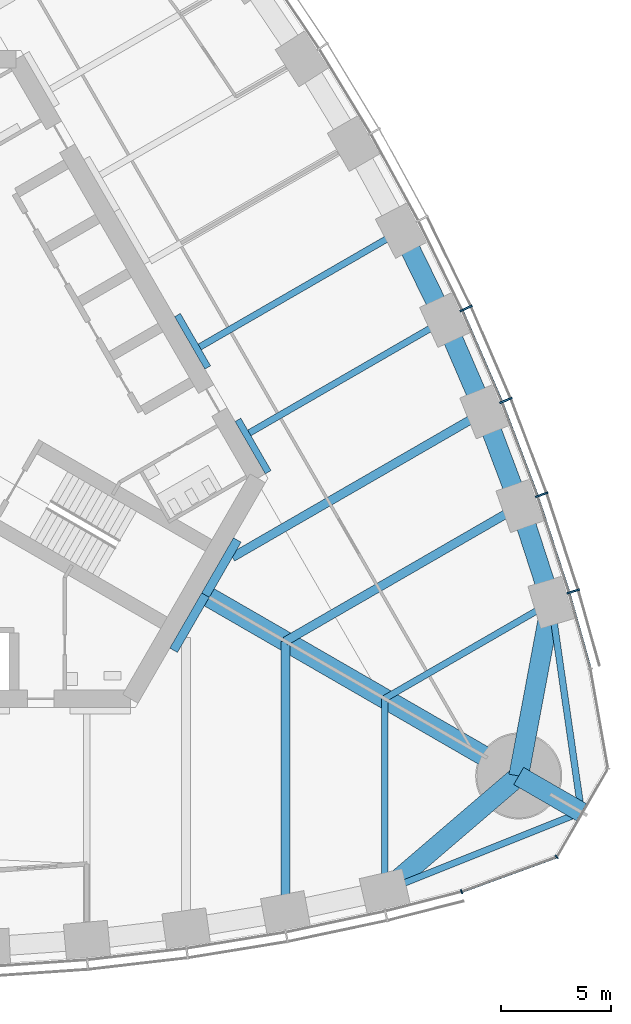
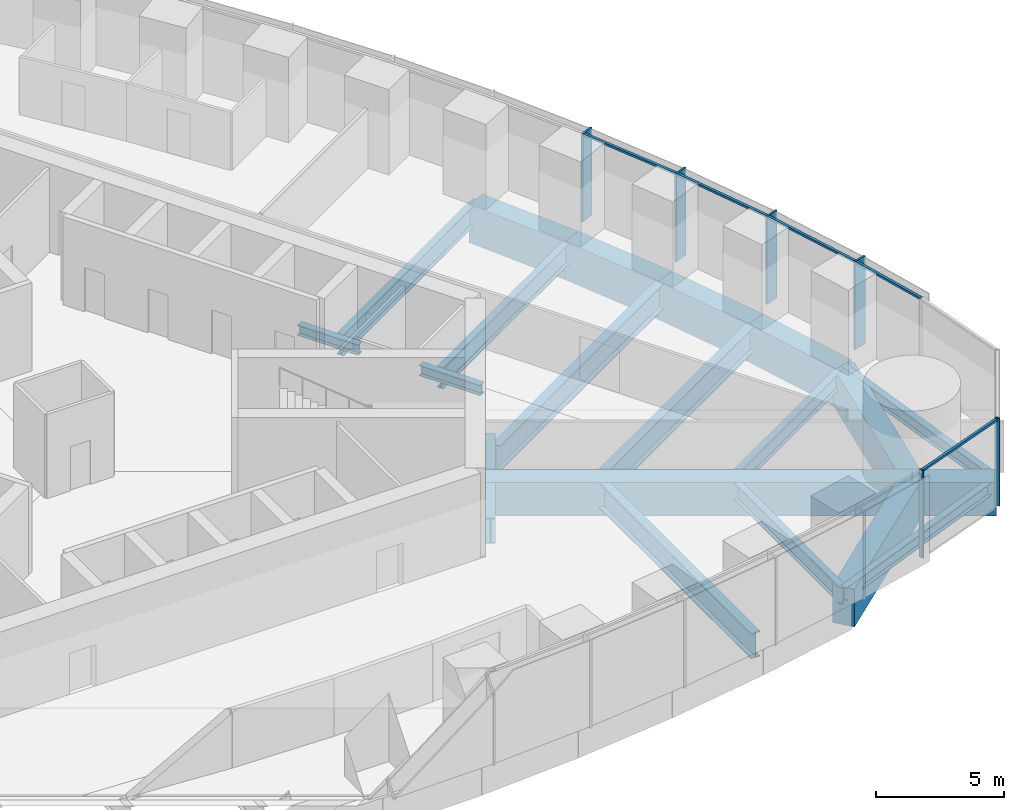
# One storey, part 4 of 18: 21 beams, 11 members, 2 elements without a shape of their own.
"""IFC4 building model written with IfcOpenShell, lengths in metres."""

from ifc_helpers import new_model, si_unit, direction, frame, origin, origin_2d, place, context, subcontext, project, spatial, rectangle, i_section, extrude, material, material_profile, profile_set, type_object, element, aggregate, save


model = new_model("IFC4")

# Units and contexts
model_context = context("Model", 3, precision=1e-05, world=origin(), true_north=direction((0.0, 1.0)))
body_context = subcontext(model_context, "Body", "Model", "MODEL_VIEW")
ifc_project = project(units=[si_unit("LENGTHUNIT", "METRE"), si_unit("AREAUNIT", "SQUARE_METRE"), si_unit("VOLUMEUNIT", "CUBIC_METRE"), si_unit("PLANEANGLEUNIT", "RADIAN"), si_unit("MASSUNIT", "GRAM", prefix="KILO")], contexts=[model_context])

# Site, building, storey
site_placement = place(None, origin())
site = spatial("IfcSite", under=ifc_project, at=site_placement, CompositionType="ELEMENT")
building_placement = place(site_placement, origin())
building = spatial("IfcBuilding", under=site, at=building_placement, Name="Trefoil Bronze Tower", CompositionType="ELEMENT")
storey_placement = place(building_placement, frame((0.0, 0.0, 198.10009765625)))
storey = spatial("IfcBuildingStorey", under=building, at=storey_placement, Name="L45", CompositionType="ELEMENT", Elevation=198.10009765625)

# Curtain wall, members
ifc_material_1 = material(Name="Tinted solar-control glass", Category="glass")
curtain_wall_type_1 = type_object("IfcCurtainWallType", Name="Bronze office curtain wall", PredefinedType="USERDEFINED", material=ifc_material_1)
curtain_wall_1_placement = place(storey_placement, origin())
curtain_wall_1 = element("IfcCurtainWall", 1, at=curtain_wall_1_placement, inside=storey, type_object=curtain_wall_type_1, Name="CW-A L45 F2", ObjectType="CURTAIN WALL", PredefinedType="USERDEFINED")
ifc_material_2 = material(Name="Bronze-finish aluminium", Category="aluminium")
ifc_material_profile_1 = material_profile(ifc_material_2, rectangle(XDim=0.60009765625, YDim=0.080078125, at=origin_2d()), Name="CW-A mullion")
ifc_profile_set_1 = profile_set([ifc_material_profile_1], Name="Bronze-finish aluminium")
member_type_1 = type_object("IfcMemberType", Name="Bronze office curtain wall mullion", PredefinedType="MULLION", material=ifc_profile_set_1)
member_1_placement = place(storey_placement, frame((31.05029296875, -8.132568359375, 0.0), z_axis=(0.0, 0.0, 1.0), x_axis=(-0.95694224323, -0.290278389002, 0.0)))
member_1 = element("IfcMember", 2, at=member_1_placement, type_object=member_type_1, Name="CW-A L45 F2 mullion 2", PredefinedType="MULLION", context=body_context, shape_type="SweptSolid", body=[
    extrude(rectangle(XDim=0.60009765625, YDim=0.080078125, at=origin_2d()), origin(), (0.0, 0.0, 1.0), 4.179931640625),
])
member_2_placement = place(storey_placement, frame((29.619873046875, -3.747314453125, 0.0), z_axis=(0.0, 0.0, 1.0), x_axis=(-0.943180077746, -0.332282020191, 0.0)))
member_2 = element("IfcMember", 3, at=member_2_placement, type_object=member_type_1, Name="CW-A L45 F2 mullion 3", PredefinedType="MULLION", context=body_context, shape_type="SweptSolid", body=[
    extrude(rectangle(XDim=0.60009765625, YDim=0.080078125, at=origin_2d()), origin(), (0.0, 0.0, 1.0), 4.179931640625),
])
member_3_placement = place(storey_placement, frame((27.999755859375, 0.529541015625, 0.0), z_axis=(0.0, 0.0, 1.0), x_axis=(-0.926689348282, -0.375828221106, 0.0)))
member_3 = element("IfcMember", 4, at=member_3_placement, type_object=member_type_1, Name="CW-A L45 F2 mullion 4", PredefinedType="MULLION", context=body_context, shape_type="SweptSolid", body=[
    extrude(rectangle(XDim=0.60009765625, YDim=0.080078125, at=origin_2d()), origin(), (0.0, 0.0, 1.0), 4.179931640625),
])
member_4_placement = place(storey_placement, frame((26.19482421875, 4.699462890625, 0.0), z_axis=(0.0, 0.0, 1.0), x_axis=(-0.908315380354, -0.418285990457, 0.0)))
member_4 = element("IfcMember", 5, at=member_4_placement, type_object=member_type_1, Name="CW-A L45 F2 mullion 5", PredefinedType="MULLION", context=body_context, shape_type="SweptSolid", body=[
    extrude(rectangle(XDim=0.60009765625, YDim=0.080078125, at=origin_2d()), origin(), (0.0, 0.0, 1.0), 4.179931640625),
])
ifc_material_3 = material(Name="Bronze-finish aluminium", Category="aluminium")
ifc_material_profile_2 = material_profile(ifc_material_3, rectangle(XDim=0.1201171875, YDim=0.10009765625, at=origin_2d()), Name="CW-A transom")
ifc_profile_set_2 = profile_set([ifc_material_profile_2], Name="Bronze-finish aluminium")
member_type_2 = type_object("IfcMemberType", Name="Bronze office curtain wall transom", PredefinedType="USERDEFINED", material=ifc_profile_set_2)
member_5_placement = place(storey_placement, frame((31.81201171875, -11.585205078125, 4.1298828125), z_axis=(-0.270284880437, 0.962780392097, 0.0), x_axis=(-0.962780392097, -0.270284880437, 0.0)))
member_5 = element("IfcMember", 6, at=member_5_placement, type_object=member_type_2, Name="CW-A L45 F2 transom 1", ObjectType="TRANSOM", PredefinedType="USERDEFINED", context=body_context, shape_type="SweptSolid", body=[
    extrude(rectangle(XDim=0.1201171875, YDim=0.10009765625, at=origin_2d()), origin(), (0.0, 0.0, 1.0), 3.48388671875),
])
member_6_placement = place(storey_placement, frame((30.845947265625, -8.150634765625, 4.1298828125), z_axis=(-0.310127806788, 0.950694874004, 0.0), x_axis=(-0.950694874004, -0.310127806788, 0.0)))
member_6 = element("IfcMember", 7, at=member_6_placement, type_object=member_type_2, Name="CW-A L45 F2 transom 2", ObjectType="TRANSOM", PredefinedType="USERDEFINED", context=body_context, shape_type="SweptSolid", body=[
    extrude(rectangle(XDim=0.1201171875, YDim=0.10009765625, at=origin_2d()), origin(), (0.0, 0.0, 1.0), 4.51953125),
])
member_7_placement = place(storey_placement, frame((29.416259765625, -3.774169921875, 4.1298828125), z_axis=(-0.354263170896, 0.935145767112, 0.0), x_axis=(-0.935145767112, -0.354263170896, 0.0)))
member_7 = element("IfcMember", 8, at=member_7_placement, type_object=member_type_2, Name="CW-A L45 F2 transom 3", ObjectType="TRANSOM", PredefinedType="USERDEFINED", context=body_context, shape_type="SweptSolid", body=[
    extrude(rectangle(XDim=0.1201171875, YDim=0.10009765625, at=origin_2d()), origin(), (0.0, 0.0, 1.0), 4.4794921875),
])
member_8_placement = place(storey_placement, frame((27.797607421875, 0.4931640625, 4.1298828125), z_axis=(-0.397220936772, 0.917723012346, 0.0), x_axis=(-0.917723012346, -0.397220936772, 0.0)))
member_8 = element("IfcMember", 9, at=member_8_placement, type_object=member_type_2, Name="CW-A L45 F2 transom 4", ObjectType="TRANSOM", PredefinedType="USERDEFINED", context=body_context, shape_type="SweptSolid", body=[
    extrude(rectangle(XDim=0.1201171875, YDim=0.10009765625, at=origin_2d()), origin(), (0.0, 0.0, 1.0), 4.449951171875),
])
aggregate(curtain_wall_1, [member_1, member_2, member_3, member_4, member_5, member_6, member_7, member_8])

ifc_material_4 = material(Name="Tinted solar-control glass", Category="glass")
curtain_wall_type_2 = type_object("IfcCurtainWallType", Name="Bronze rounded corner curtain wall", PredefinedType="USERDEFINED", material=ifc_material_4)
curtain_wall_2_placement = place(storey_placement, origin())
curtain_wall_2 = element("IfcCurtainWall", 10, at=curtain_wall_2_placement, inside=storey, type_object=curtain_wall_type_2, Name="CW-B L45 K1", ObjectType="CURTAIN WALL", PredefinedType="USERDEFINED")
ifc_material_5 = material(Name="Bronze-finish aluminium", Category="aluminium")
ifc_material_profile_3 = material_profile(ifc_material_5, rectangle(XDim=0.199951171875, YDim=0.06005859375, at=origin_2d()), Name="CW-B mullion")
ifc_profile_set_3 = profile_set([ifc_material_profile_3], Name="Bronze-finish aluminium")
member_type_3 = type_object("IfcMemberType", Name="Bronze rounded corner curtain wall mullion", PredefinedType="MULLION", material=ifc_profile_set_3)
member_9_placement = place(storey_placement, frame((25.9873046875, -21.74462890625, 0.0), z_axis=(0.0, 0.0, 1.0), x_axis=(-0.342020143326, 0.939692620786, 0.0)))
member_9 = element("IfcMember", 11, at=member_9_placement, type_object=member_type_3, Name="CW-B L45 K1 mullion 1", PredefinedType="MULLION", context=body_context, shape_type="SweptSolid", body=[
    extrude(rectangle(XDim=0.199951171875, YDim=0.06005859375, at=origin_2d()), origin(), (0.0, 0.0, 1.0), 4.179931640625),
])
member_10_placement = place(storey_placement, frame((30.302490234375, -20.16748046875, 0.0), z_axis=(0.0, 0.0, 1.0), x_axis=(-0.642787609687, 0.766044443119, 0.0)))
member_10 = element("IfcMember", 12, at=member_10_placement, type_object=member_type_3, Name="CW-B L45 K1 mullion 2", PredefinedType="MULLION", context=body_context, shape_type="SweptSolid", body=[
    extrude(rectangle(XDim=0.199951171875, YDim=0.06005859375, at=origin_2d()), origin(), (0.0, 0.0, 1.0), 4.179931640625),
])
ifc_material_6 = material(Name="Bronze-finish aluminium", Category="aluminium")
ifc_material_profile_4 = material_profile(ifc_material_6, rectangle(XDim=0.1201171875, YDim=0.10009765625, at=origin_2d()), Name="CW-B transom")
ifc_profile_set_4 = profile_set([ifc_material_profile_4], Name="Bronze-finish aluminium")
member_type_4 = type_object("IfcMemberType", Name="Bronze rounded corner curtain wall transom", PredefinedType="USERDEFINED", material=ifc_profile_set_4)
member_11_placement = place(storey_placement, frame((26.015380859375, -21.734375, 4.1298828125), z_axis=(0.939680910753, 0.342052314664, 0.0), x_axis=(-0.342052314664, 0.939680910753, 0.0)))
member_11 = element("IfcMember", 13, at=member_11_placement, type_object=member_type_4, Name="CW-B L45 K1 transom 1", ObjectType="TRANSOM", PredefinedType="USERDEFINED", context=body_context, shape_type="SweptSolid", body=[
    extrude(rectangle(XDim=0.1201171875, YDim=0.10009765625, at=origin_2d()), origin(), (0.0, 0.0, 1.0), 4.500244140625),
])
aggregate(curtain_wall_2, [member_9, member_10, member_11])

# Beams
ifc_material_7 = material(Name="Steel C355", Category="steel")
ifc_material_profile_5 = material_profile(ifc_material_7, i_section(OverallWidth=0.300048828125, OverallDepth=0.5, WebThickness=0.014404296875, FlangeThickness=0.028076171875, FilletRadius=0.027099609375, at=origin_2d()), Name="HEB 500")
ifc_profile_set_5 = profile_set([ifc_material_profile_5], Name="Steel C355")
beam_type_1 = type_object("IfcBeamType", Name="Core seat beam HEB 500", PredefinedType="BEAM", material=ifc_profile_set_5)
for number, where, z_axis, x_axis, name in (
    (14, (17.219482421875, -2.72509765625, -0.4501953125), (-0.500035825175, 0.866004719122, 0.0), (-0.866004719122, -0.500035825175, 0.0), "Core seat beam F2/-2 L45"),
    (15, (14.47705078125, 2.02490234375, -0.4501953125), (-0.499969057507, 0.866043267704, 0.0), (-0.866043267704, -0.499969057507, 0.0), "Core seat beam F2/-1 L45"),
):
    element("IfcBeam", number, at=place(storey_placement, frame(where, z_axis=z_axis, x_axis=x_axis)), inside=storey, type_object=beam_type_1, Name=name, PredefinedType="BEAM", context=body_context, shape_type="SweptSolid", body=[
        extrude(i_section(OverallWidth=0.300048828125, OverallDepth=0.5, WebThickness=0.014404296875, FlangeThickness=0.028076171875, FilletRadius=0.027099609375, at=origin_2d()), origin(), (0.0, 0.0, 1.0), 2.742431640625),
    ])
ifc_material_8 = material(Name="Steel C355", Category="steel")
ifc_material_profile_6 = material_profile(ifc_material_8, i_section(OverallWidth=0.39990234375, OverallDepth=1.199951171875, WebThickness=0.02001953125, FlangeThickness=0.0400390625, FilletRadius=0.010009765625, at=origin_2d()), Name="WPG 1200")
ifc_profile_set_6 = profile_set([ifc_material_profile_6], Name="Steel C355")
beam_type_2 = type_object("IfcBeamType", Name="Core seat beam WPG 1200", PredefinedType="BEAM", material=ifc_profile_set_6)
for number, where, z_axis, x_axis, name in (
    (16, (12.9326171875, -10.800048828125, -0.800048828125), (0.499995765644, 0.866027848477, 0.0), (-0.866027848477, 0.499995765644, 0.0), "Core seat beam F1/+3 L45"),
    (17, (14.3759765625, -8.300048828125, -0.800048828125), (0.499995765644, 0.866027848477, 0.0), (-0.866027848477, 0.499995765644, 0.0), "Core seat beam F2/-3 L45"),
):
    element("IfcBeam", number, at=place(storey_placement, frame(where, z_axis=z_axis, x_axis=x_axis)), inside=storey, type_object=beam_type_2, Name=name, PredefinedType="BEAM", context=body_context, shape_type="SweptSolid", body=[
        extrude(i_section(OverallWidth=0.39990234375, OverallDepth=1.199951171875, WebThickness=0.02001953125, FlangeThickness=0.0400390625, FilletRadius=0.010009765625, at=origin_2d()), origin(), (0.0, 0.0, 1.0), 2.88671875),
    ])
ifc_material_9 = material(Name="Concrete B80", Category="concrete")
ifc_material_profile_7 = material_profile(ifc_material_9, rectangle(XDim=0.89990234375, YDim=1.60009765625, at=origin_2d()), Name="RC 900x1600")
ifc_profile_set_7 = profile_set([ifc_material_profile_7], Name="Concrete B80")
beam_type_3 = type_object("IfcBeamType", Name="Corner cantilever RC 900x1600", PredefinedType="BEAM", material=ifc_profile_set_7)
beam_1_placement = place(storey_placement, frame((28.578857421875, -16.5, -1.0), z_axis=(0.866016004958, -0.500016278891, 0.0), x_axis=(0.500016278891, 0.866016004958, 0.0)))
element("IfcBeam", 18, at=beam_1_placement, inside=storey, type_object=beam_type_3, Name="Corner cantilever K1 L45", PredefinedType="BEAM", context=body_context, shape_type="SweptSolid", body=[
    extrude(rectangle(XDim=0.89990234375, YDim=1.60009765625, at=origin_2d()), origin(), (0.0, 0.0, 1.0), 3.28466796875),
])
ifc_material_10 = material(Name="Steel C355", Category="steel")
ifc_material_profile_8 = material_profile(ifc_material_10, i_section(OverallWidth=0.300048828125, OverallDepth=0.60009765625, WebThickness=0.015380859375, FlangeThickness=0.030029296875, FilletRadius=0.027099609375, at=origin_2d()), Name="HEB 600")
ifc_profile_set_8 = profile_set([ifc_material_profile_8], Name="Steel C355")
beam_type_4 = type_object("IfcBeamType", Name="Corner edge beam HEB 600", PredefinedType="BEAM", material=ifc_profile_set_8)
for number, where, z_axis, x_axis, name in (
    (19, (22.5, -21.71044921875, -0.5), (0.92852048463, 0.371281173266, 0.0), (-0.371281173266, 0.92852048463, 0.0), "Corner edge beam F1A L45"),
    (20, (30.052001953125, -8.63037109375, -0.5), (0.142694489722, -0.989766781925, 0.0), (0.989766781925, 0.142694489722, 0.0), "Corner edge beam F2B L45"),
):
    element("IfcBeam", number, at=place(storey_placement, frame(where, z_axis=z_axis, x_axis=x_axis)), inside=storey, type_object=beam_type_4, Name=name, PredefinedType="BEAM", context=body_context, shape_type="SweptSolid", body=[
        extrude(i_section(OverallWidth=0.300048828125, OverallDepth=0.60009765625, WebThickness=0.015380859375, FlangeThickness=0.030029296875, FilletRadius=0.027099609375, at=origin_2d()), origin(), (0.0, 0.0, 1.0), 9.6103515625),
    ])
ifc_material_11 = material(Name="Concrete B80", Category="concrete")
ifc_material_profile_9 = material_profile(ifc_material_11, rectangle(XDim=0.89990234375, YDim=1.60009765625, at=origin_2d()), Name="RC 900x1600")
ifc_profile_set_9 = profile_set([ifc_material_profile_9], Name="Concrete B80")
beam_type_5 = type_object("IfcBeamType", Name="Corner girder RC 900x1600", PredefinedType="BEAM", material=ifc_profile_set_9)
beam_2_placement = place(storey_placement, frame((14.202880859375, -8.199951171875, -1.0), z_axis=(0.866023450265, -0.500003383579, 0.0), x_axis=(0.500003383579, 0.866023450265, 0.0)))
element("IfcBeam", 21, at=beam_2_placement, inside=storey, type_object=beam_type_5, Name="Corner girder K1 L45", PredefinedType="BEAM", context=body_context, shape_type="SweptSolid", body=[
    extrude(rectangle(XDim=0.89990234375, YDim=1.60009765625, at=origin_2d()), origin(), (0.0, 0.0, 1.0), 16.60009765625),
])
ifc_material_12 = material(Name="Concrete B80", Category="concrete")
ifc_material_profile_10 = material_profile(ifc_material_12, rectangle(XDim=0.89990234375, YDim=1.800048828125, at=origin_2d()), Name="RC 900x1800")
ifc_profile_set_10 = profile_set([ifc_material_profile_10], Name="Concrete B80")
beam_type_6 = type_object("IfcBeamType", Name="End spandrel beam RC 900x1800", PredefinedType="SPANDREL", material=ifc_profile_set_10)
for number, where, z_axis, x_axis, name in (
    (22, (22.5, -21.71044921875, -1.10009765625), (0.759256602365, 0.650791373456, 0.0), (-0.650791373456, 0.759256602365, 0.0), "Spandrel F1.12 L45"),
    (23, (28.578857421875, -16.5, -1.10009765625), (0.18399763073, 0.982926686933, 0.0), (-0.982926686933, 0.18399763073, 0.0), "Spandrel F2.1 L45"),
):
    element("IfcBeam", number, at=place(storey_placement, frame(where, z_axis=z_axis, x_axis=x_axis)), inside=storey, type_object=beam_type_6, Name=name, PredefinedType="SPANDREL", context=body_context, shape_type="SweptSolid", body=[
        extrude(rectangle(XDim=0.89990234375, YDim=1.800048828125, at=origin_2d()), origin(), (0.0, 0.0, 1.0), 8.00634765625),
    ])
ifc_material_13 = material(Name="Steel C355", Category="steel")
ifc_material_profile_11 = material_profile(ifc_material_13, i_section(OverallWidth=0.300048828125, OverallDepth=1.0, WebThickness=0.01904296875, FlangeThickness=0.035888671875, FilletRadius=0.030029296875, at=origin_2d()), Name="HEB 1000")
ifc_profile_set_11 = profile_set([ifc_material_profile_11], Name="Steel C355")
beam_type_7 = type_object("IfcBeamType", Name="Floor beam HEB 1000", PredefinedType="BEAM", material=ifc_profile_set_11)
beam_3_placement = place(storey_placement, frame((25.2265625, 4.17236328125, -0.7001953125), z_axis=(-0.866017525653, -0.500013645076, 0.0), x_axis=(0.500013645076, -0.866017525653, 0.0)))
element("IfcBeam", 24, at=beam_3_placement, inside=storey, type_object=beam_type_7, Name="Floor beam F2/-2 L45", PredefinedType="BEAM", context=body_context, shape_type="SweptSolid", body=[
    extrude(i_section(OverallWidth=0.300048828125, OverallDepth=1.0, WebThickness=0.01904296875, FlangeThickness=0.035888671875, FilletRadius=0.030029296875, at=origin_2d()), origin(), (0.0, 0.0, 1.0), 10.233154296875),
])
beam_4_placement = place(storey_placement, frame((23.248046875, 8.22607421875, -0.7001953125), z_axis=(-0.866027918957, -0.499995643569, 0.0), x_axis=(0.499995643569, -0.866027918957, 0.0)))
element("IfcBeam", 25, at=beam_4_placement, inside=storey, type_object=beam_type_7, Name="Floor beam F2/-1 L45", PredefinedType="BEAM", context=body_context, shape_type="SweptSolid", body=[
    extrude(i_section(OverallWidth=0.300048828125, OverallDepth=1.0, WebThickness=0.01904296875, FlangeThickness=0.035888671875, FilletRadius=0.030029296875, at=origin_2d()), origin(), (0.0, 0.0, 1.0), 10.54638671875),
])
ifc_material_14 = material(Name="Steel C355", Category="steel")
ifc_material_profile_12 = material_profile(ifc_material_14, i_section(OverallWidth=0.300048828125, OverallDepth=0.800048828125, WebThickness=0.017578125, FlangeThickness=0.032958984375, FilletRadius=0.030029296875, at=origin_2d()), Name="HEB 800")
ifc_profile_set_12 = profile_set([ifc_material_profile_12], Name="Steel C355")
beam_type_8 = type_object("IfcBeamType", Name="Floor beam HEB 800", PredefinedType="BEAM", material=ifc_profile_set_12)
beam_5_placement = place(storey_placement, frame((22.5, -21.71044921875, -0.60009765625), z_axis=(0.0, 1.0, 0.0), x_axis=(-1.0, 0.0, 0.0)))
element("IfcBeam", 26, at=beam_5_placement, inside=storey, type_object=beam_type_8, Name="Floor beam F1/+5 L45", PredefinedType="BEAM", context=body_context, shape_type="SweptSolid", body=[
    extrude(i_section(OverallWidth=0.300048828125, OverallDepth=0.800048828125, WebThickness=0.017578125, FlangeThickness=0.032958984375, FilletRadius=0.030029296875, at=origin_2d()), origin(), (0.0, 0.0, 1.0), 8.719970703125),
])
beam_6_placement = place(storey_placement, frame((30.052001953125, -8.63037109375, -0.60009765625), z_axis=(-0.866027535932, -0.499996306993, 0.0), x_axis=(0.499996306993, -0.866027535932, 0.0)))
element("IfcBeam", 27, at=beam_6_placement, inside=storey, type_object=beam_type_8, Name="Floor beam F2/-5 L45", PredefinedType="BEAM", context=body_context, shape_type="SweptSolid", body=[
    extrude(i_section(OverallWidth=0.300048828125, OverallDepth=0.800048828125, WebThickness=0.017578125, FlangeThickness=0.032958984375, FilletRadius=0.030029296875, at=origin_2d()), origin(), (0.0, 0.0, 1.0), 8.72021484375),
])
ifc_material_15 = material(Name="Steel C355", Category="steel")
ifc_material_profile_13 = material_profile(ifc_material_15, i_section(OverallWidth=0.39990234375, OverallDepth=1.199951171875, WebThickness=0.02001953125, FlangeThickness=0.0400390625, FilletRadius=0.010009765625, at=origin_2d()), Name="WPG 1200")
ifc_profile_set_13 = profile_set([ifc_material_profile_13], Name="Steel C355")
beam_type_9 = type_object("IfcBeamType", Name="Floor beam WPG 1200", PredefinedType="BEAM", material=ifc_profile_set_13)
beam_7_placement = place(storey_placement, frame((18.0, -22.6689453125, -0.800048828125), z_axis=(0.0, 1.0, 0.0), x_axis=(-1.0, 0.0, 0.0)))
element("IfcBeam", 28, at=beam_7_placement, inside=storey, type_object=beam_type_9, Name="Floor beam F1/+4 L45", PredefinedType="BEAM", context=body_context, shape_type="SweptSolid", body=[
    extrude(i_section(OverallWidth=0.39990234375, OverallDepth=1.199951171875, WebThickness=0.02001953125, FlangeThickness=0.0400390625, FilletRadius=0.010009765625, at=origin_2d()), origin(), (0.0, 0.0, 1.0), 12.276611328125),
])
beam_8_placement = place(storey_placement, frame((28.632080078125, -4.25390625, -0.800048828125), z_axis=(-0.866025635187, -0.499999599199, 0.0), x_axis=(0.499999599199, -0.866025635187, 0.0)))
element("IfcBeam", 29, at=beam_8_placement, inside=storey, type_object=beam_type_9, Name="Floor beam F2/-4 L45", PredefinedType="BEAM", context=body_context, shape_type="SweptSolid", body=[
    extrude(i_section(OverallWidth=0.39990234375, OverallDepth=1.199951171875, WebThickness=0.02001953125, FlangeThickness=0.0400390625, FilletRadius=0.010009765625, at=origin_2d()), origin(), (0.0, 0.0, 1.0), 12.27685546875),
])
beam_9_placement = place(storey_placement, frame((27.022216796875, 0.012939453125, -0.800048828125), z_axis=(-0.866020385251, -0.500008692254, 0.0), x_axis=(0.500008692254, -0.866020385251, 0.0)))
element("IfcBeam", 30, at=beam_9_placement, inside=storey, type_object=beam_type_9, Name="Floor beam F2/-3 L45", PredefinedType="BEAM", context=body_context, shape_type="SweptSolid", body=[
    extrude(i_section(OverallWidth=0.39990234375, OverallDepth=1.199951171875, WebThickness=0.02001953125, FlangeThickness=0.0400390625, FilletRadius=0.010009765625, at=origin_2d()), origin(), (0.0, 0.0, 1.0), 13.191162109375),
])
ifc_material_16 = material(Name="Concrete B80", Category="concrete")
ifc_material_profile_14 = material_profile(ifc_material_16, rectangle(XDim=0.89990234375, YDim=1.800048828125, at=origin_2d()), Name="RC 900x1800")
ifc_profile_set_14 = profile_set([ifc_material_profile_14], Name="Concrete B80")
beam_type_10 = type_object("IfcBeamType", Name="Spandrel beam RC 900x1800", PredefinedType="SPANDREL", material=ifc_profile_set_14)
beam_10_placement = place(storey_placement, frame((30.052001953125, -8.63037109375, -1.10009765625), z_axis=(-0.308608505504, 0.951189145402, 0.0), x_axis=(-0.951189145402, -0.308608505504, 0.0)))
element("IfcBeam", 31, at=beam_10_placement, inside=storey, type_object=beam_type_10, Name="Spandrel F2.2 L45", PredefinedType="SPANDREL", context=body_context, shape_type="SweptSolid", body=[
    extrude(rectangle(XDim=0.89990234375, YDim=1.800048828125, at=origin_2d()), origin(), (0.0, 0.0, 1.0), 4.60107421875),
])
beam_11_placement = place(storey_placement, frame((28.632080078125, -4.25390625, -1.10009765625), z_axis=(-0.353005969632, 0.935621069346, 0.0), x_axis=(-0.935621069346, -0.353005969632, 0.0)))
element("IfcBeam", 32, at=beam_11_placement, inside=storey, type_object=beam_type_10, Name="Spandrel F2.3 L45", PredefinedType="SPANDREL", context=body_context, shape_type="SweptSolid", body=[
    extrude(rectangle(XDim=0.89990234375, YDim=1.800048828125, at=origin_2d()), origin(), (0.0, 0.0, 1.0), 4.560546875),
])
beam_12_placement = place(storey_placement, frame((27.022216796875, 0.012939453125, -1.10009765625), z_axis=(-0.396350337164, 0.918099346602, 0.0), x_axis=(-0.918099346602, -0.396350337164, 0.0)))
element("IfcBeam", 33, at=beam_12_placement, inside=storey, type_object=beam_type_10, Name="Spandrel F2.4 L45", PredefinedType="SPANDREL", context=body_context, shape_type="SweptSolid", body=[
    extrude(rectangle(XDim=0.89990234375, YDim=1.800048828125, at=origin_2d()), origin(), (0.0, 0.0, 1.0), 4.530517578125),
])
beam_13_placement = place(storey_placement, frame((25.2265625, 4.17236328125, -1.10009765625), z_axis=(-0.438619830351, 0.898672712629, 0.0), x_axis=(-0.898672712629, -0.438619830351, 0.0)))
element("IfcBeam", 34, at=beam_13_placement, inside=storey, type_object=beam_type_10, Name="Spandrel F2.5 L45", PredefinedType="SPANDREL", context=body_context, shape_type="SweptSolid", body=[
    extrude(rectangle(XDim=0.89990234375, YDim=1.800048828125, at=origin_2d()), origin(), (0.0, 0.0, 1.0), 4.5107421875),
])

save(model, "model.ifc")
